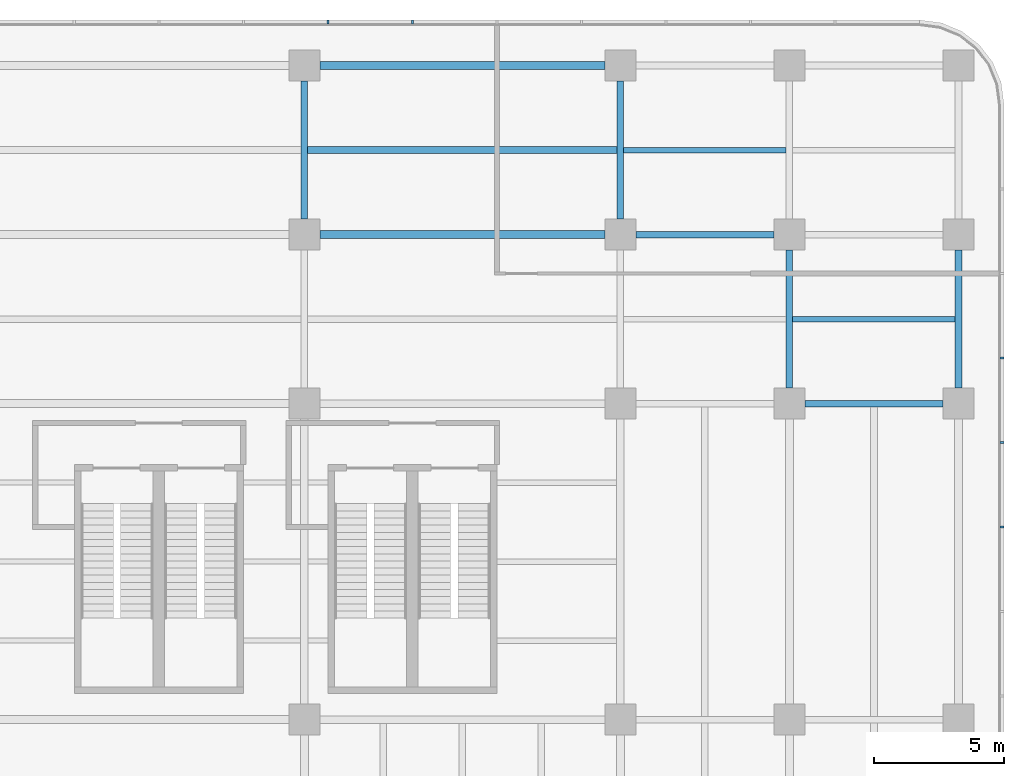
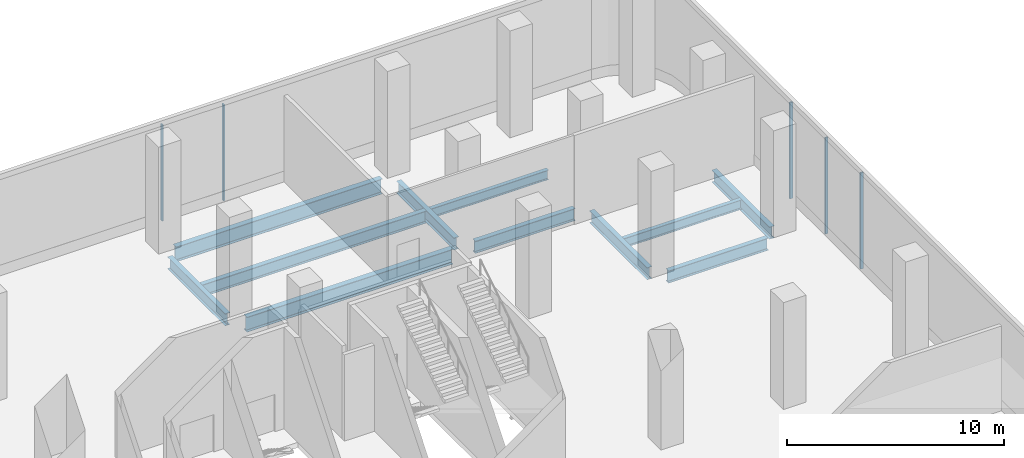
# One storey, part 28 of 41: 11 beams, 5 members, 2 elements without a shape of their own.
"""IFC4 building model written with IfcOpenShell, lengths in metres."""

from ifc_helpers import new_model, si_unit, direction, frame, origin, origin_2d, place, context, subcontext, project, spatial, rectangle, i_section, extrude, source, transform, mapped, material, layer, layer_set, material_profile, profile_set, type_object, element, aggregate, save


model = new_model("IFC4")

# Units and contexts
model_context = context("Model", 3, precision=1e-05, world=origin(), true_north=direction((0.0, 1.0)))
body_context = subcontext(model_context, "Body", "Model", "MODEL_VIEW")
ifc_project = project(units=[si_unit("LENGTHUNIT", "METRE"), si_unit("AREAUNIT", "SQUARE_METRE"), si_unit("VOLUMEUNIT", "CUBIC_METRE"), si_unit("PLANEANGLEUNIT", "RADIAN"), si_unit("MASSUNIT", "GRAM", prefix="KILO")], contexts=[model_context])

# Site, building, storey
site_placement = place(None, origin())
site = spatial("IfcSite", under=ifc_project, at=site_placement, CompositionType="ELEMENT")
building_placement = place(site_placement, origin())
building = spatial("IfcBuilding", under=site, at=building_placement, Name="Trellis Farm Tower", CompositionType="ELEMENT")
storey_placement = place(building_placement, frame((0.0, 0.0, 8.0)))
storey = spatial("IfcBuildingStorey", under=building, at=storey_placement, Name="L01", CompositionType="ELEMENT", Elevation=8.0)

# Beams
ifc_material_1 = material(Name="Steel S355", Category="steel")
ifc_material_profile_1 = material_profile(ifc_material_1, i_section(OverallWidth=0.253662109375, OverallDepth=0.68359375, WebThickness=0.012451171875, FlangeThickness=0.021728515625, FilletRadius=0.01513671875, at=origin_2d()), Name="UB 686x254x140")
ifc_profile_set_1 = profile_set([ifc_material_profile_1], Name="Steel S355")
beam_type_1 = type_object("IfcBeamType", Name="UB 686x254x140", PredefinedType="BEAM", material=ifc_profile_set_1)
shared_shape_1 = source(origin(), body_context, "Body", "SweptSolid", [
    extrude(i_section(OverallWidth=0.253662109375, OverallDepth=0.68359375, WebThickness=0.012451171875, FlangeThickness=0.021728515625, FilletRadius=0.01513671875, at=origin_2d()), origin(), (0.0, 0.0, 1.0), 5.2998046875),
])
for number, where, z_axis, x_axis, name in (
    (1, (37.85009765625, 30.75, -0.641845703125), (1.0, 0.0, 0.0), (0.0, 1.0, 0.0), "Girder"),
    (2, (31.35009765625, 37.25, -0.641845703125), (1.0, 0.0, 0.0), (0.0, 1.0, 0.0), "Girder"),
    (3, (18.60009765625, 37.85009765625, -0.641845703125), (0.0, 1.0, 0.0), (-1.0, 0.0, 0.0), "Girder"),
    (4, (30.75, 37.85009765625, -0.641845703125), (0.0, 1.0, 0.0), (-1.0, 0.0, 0.0), "Girder"),
    (5, (37.25, 31.35009765625, -0.641845703125), (0.0, 1.0, 0.0), (-1.0, 0.0, 0.0), "Girder"),
    (6, (43.75, 31.35009765625, -0.641845703125), (0.0, 1.0, 0.0), (-1.0, 0.0, 0.0), "Girder"),
):
    element("IfcBeam", number, at=place(storey_placement, frame(where, z_axis=z_axis, x_axis=x_axis)), inside=storey, type_object=beam_type_1, Name=name, PredefinedType="BEAM", context=body_context, shape_type="MappedRepresentation", body=[
        mapped(shared_shape_1, transform((0.0, 0.0, 0.0))),
    ])
ifc_material_profile_2 = material_profile(ifc_material_1, i_section(OverallWidth=0.29248046875, OverallDepth=0.8408203125, WebThickness=0.0146484375, FlangeThickness=0.021728515625, FilletRadius=0.017822265625, at=origin_2d()), Name="UB 838x292x194")
ifc_profile_set_2 = profile_set([ifc_material_profile_2], Name="Steel S355")
beam_type_2 = type_object("IfcBeamType", Name="UB 838x292x194", PredefinedType="BEAM", material=ifc_profile_set_2)
shared_shape_2 = source(origin(), body_context, "Body", "SweptSolid", [
    extrude(i_section(OverallWidth=0.29248046875, OverallDepth=0.8408203125, WebThickness=0.0146484375, FlangeThickness=0.021728515625, FilletRadius=0.017822265625, at=origin_2d()), origin(), (0.0, 0.0, 1.0), 10.949951171875),
])
for number, where, z_axis, x_axis, name in (
    (7, (19.199951171875, 37.25, -0.72021484375), (1.0, 0.0, 0.0), (0.0, 1.0, 0.0), "Girder"),
    (8, (19.199951171875, 43.75, -0.72021484375), (1.0, 0.0, 0.0), (0.0, 1.0, 0.0), "Girder"),
):
    element("IfcBeam", number, at=place(storey_placement, frame(where, z_axis=z_axis, x_axis=x_axis)), inside=storey, type_object=beam_type_2, Name=name, PredefinedType="BEAM", context=body_context, shape_type="MappedRepresentation", body=[
        mapped(shared_shape_2, transform((0.0, 0.0, 0.0))),
    ])
ifc_material_profile_3 = material_profile(ifc_material_1, i_section(OverallWidth=0.253662109375, OverallDepth=0.68359375, WebThickness=0.012451171875, FlangeThickness=0.021728515625, FilletRadius=0.01513671875, at=origin_2d()), Name="UB 686x254x140")
ifc_profile_set_3 = profile_set([ifc_material_profile_3], Name="Steel S355")
beam_type_3 = type_object("IfcBeamType", Name="UB 686x254x140 joist", PredefinedType="JOIST", material=ifc_profile_set_3)
shared_shape_3 = source(origin(), body_context, "Body", "SweptSolid", [
    extrude(i_section(OverallWidth=0.253662109375, OverallDepth=0.68359375, WebThickness=0.012451171875, FlangeThickness=0.021728515625, FilletRadius=0.01513671875, at=origin_2d()), origin(), (0.0, 0.0, 1.0), 11.896240234375),
])
beam_1_placement = place(storey_placement, frame((18.726806640625, 40.5, -0.641845703125), z_axis=(1.0, 0.0, 0.0), x_axis=(0.0, 1.0, 0.0)))
element("IfcBeam", 9, at=beam_1_placement, inside=storey, type_object=beam_type_3, Name="Floor beam", PredefinedType="JOIST", context=body_context, shape_type="MappedRepresentation", body=[
    mapped(shared_shape_3, transform((0.0, 0.0, 0.0))),
])
ifc_material_profile_4 = material_profile(ifc_material_1, i_section(OverallWidth=0.209228515625, OverallDepth=0.533203125, WebThickness=0.010009765625, FlangeThickness=0.015625, FilletRadius=0.0126953125, at=origin_2d()), Name="UB 533x210x92")
ifc_profile_set_4 = profile_set([ifc_material_profile_4], Name="Steel S355")
beam_type_4 = type_object("IfcBeamType", Name="UB 533x210x92 joist", PredefinedType="JOIST", material=ifc_profile_set_4)
shared_shape_4 = source(origin(), body_context, "Body", "SweptSolid", [
    extrude(i_section(OverallWidth=0.209228515625, OverallDepth=0.533203125, WebThickness=0.010009765625, FlangeThickness=0.015625, FilletRadius=0.0126953125, at=origin_2d()), origin(), (0.0, 0.0, 1.0), 6.246337890625),
])
beam_2_placement = place(storey_placement, frame((30.876953125, 40.5, -0.56640625), z_axis=(1.0, 0.0, 0.0), x_axis=(0.0, 1.0, 0.0)))
element("IfcBeam", 10, at=beam_2_placement, inside=storey, type_object=beam_type_4, Name="Floor beam", PredefinedType="JOIST", context=body_context, shape_type="MappedRepresentation", body=[
    mapped(shared_shape_4, transform((0.0, 0.0, 0.0))),
])
shared_shape_5 = source(origin(), body_context, "Body", "SweptSolid", [
    extrude(i_section(OverallWidth=0.209228515625, OverallDepth=0.533203125, WebThickness=0.010009765625, FlangeThickness=0.015625, FilletRadius=0.0126953125, at=origin_2d()), origin(), (0.0, 0.0, 1.0), 6.24658203125),
])
beam_3_placement = place(storey_placement, frame((37.376708984375, 34.0, -0.56640625), z_axis=(1.0, 0.0, 0.0), x_axis=(0.0, 1.0, 0.0)))
element("IfcBeam", 11, at=beam_3_placement, inside=storey, type_object=beam_type_4, Name="Floor beam", PredefinedType="JOIST", context=body_context, shape_type="MappedRepresentation", body=[
    mapped(shared_shape_5, transform((0.0, 0.0, 0.0))),
])

# Curtain wall, members
ifc_material_2 = material(Name="Aluminium and glass curtain wall", Category="aluminium")
ifc_layer = layer(ifc_material_2, 0.201904296875)
ifc_layer_set = layer_set([ifc_layer], Name="SHOPFRONT CURTAIN WALL CW2")
curtain_wall_type = type_object("IfcCurtainWallType", Name="SHOPFRONT CURTAIN WALL CW2", PredefinedType="NOTDEFINED", material=ifc_layer_set)
placement = place(storey_placement, origin())
curtain_wall_1 = element("IfcCurtainWall", 12, at=placement, inside=storey, type_object=curtain_wall_type, Name="CW2 002", PredefinedType="NOTDEFINED")
ifc_material_3 = material(Name="Aluminium extrusion 6063-T6", Category="aluminium")
ifc_material_profile_5 = material_profile(ifc_material_3, rectangle(XDim=0.080078125, YDim=0.14990234375, at=origin_2d()), Name="MULLION 80x150")
ifc_profile_set_5 = profile_set([ifc_material_profile_5], Name="Aluminium extrusion 6063-T6")
member_type = type_object("IfcMemberType", Name="CW2 MULLION 80x150", PredefinedType="MULLION", material=ifc_profile_set_5)
shared_shape_6 = source(origin(), body_context, "Body", "SweptSolid", [
    extrude(rectangle(XDim=0.080078125, YDim=0.14990234375, at=origin_2d()), origin(), (0.0, 0.0, 1.0), 5.39990234375),
])
member_1_placement = place(storey_placement, frame((45.425048828125, 26.0, 0.0), z_axis=(0.0, 0.0, 1.0), x_axis=(0.0, 1.0, 0.0)))
member_1 = element("IfcMember", 13, at=member_1_placement, type_object=member_type, Name="MU2 002-06", PredefinedType="MULLION", context=body_context, shape_type="MappedRepresentation", body=[
    mapped(shared_shape_6, transform((0.0, 0.0, 0.0))),
])
member_2_placement = place(storey_placement, frame((45.425048828125, 29.25, 0.0), z_axis=(0.0, 0.0, 1.0), x_axis=(0.0, 1.0, 0.0)))
member_2 = element("IfcMember", 14, at=member_2_placement, type_object=member_type, Name="MU2 002-07", PredefinedType="MULLION", context=body_context, shape_type="MappedRepresentation", body=[
    mapped(shared_shape_6, transform((0.0, 0.0, 0.0))),
])
member_3_placement = place(storey_placement, frame((45.425048828125, 32.5, 0.0), z_axis=(0.0, 0.0, 1.0), x_axis=(0.0, 1.0, 0.0)))
member_3 = element("IfcMember", 15, at=member_3_placement, type_object=member_type, Name="MU2 002-08", PredefinedType="MULLION", context=body_context, shape_type="MappedRepresentation", body=[
    mapped(shared_shape_6, transform((0.0, 0.0, 0.0))),
])
aggregate(curtain_wall_1, [member_1, member_2, member_3])

curtain_wall_2 = element("IfcCurtainWall", 16, at=placement, inside=storey, type_object=curtain_wall_type, Name="CW2 003", PredefinedType="NOTDEFINED")
member_4_placement = place(storey_placement, frame((22.75, 45.425048828125, 0.0), z_axis=(0.0, 0.0, 1.0), x_axis=(-1.0, 0.0, 0.0)))
member_4 = element("IfcMember", 17, at=member_4_placement, type_object=member_type, Name="MU2 003-06", PredefinedType="MULLION", context=body_context, shape_type="MappedRepresentation", body=[
    mapped(shared_shape_6, transform((0.0, 0.0, 0.0))),
])
member_5_placement = place(storey_placement, frame((19.5, 45.425048828125, 0.0), z_axis=(0.0, 0.0, 1.0), x_axis=(-1.0, 0.0, 0.0)))
member_5 = element("IfcMember", 18, at=member_5_placement, type_object=member_type, Name="MU2 003-07", PredefinedType="MULLION", context=body_context, shape_type="MappedRepresentation", body=[
    mapped(shared_shape_6, transform((0.0, 0.0, 0.0))),
])
aggregate(curtain_wall_2, [member_4, member_5])

save(model, "model.ifc")
